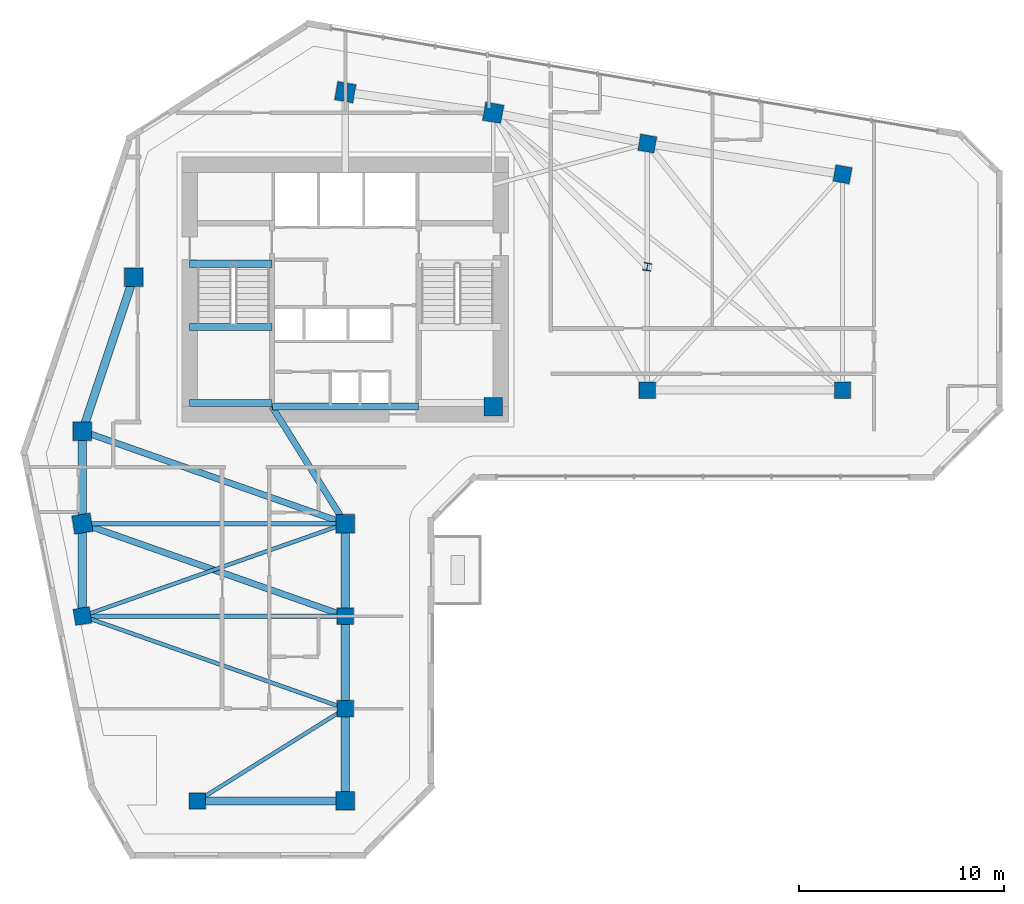
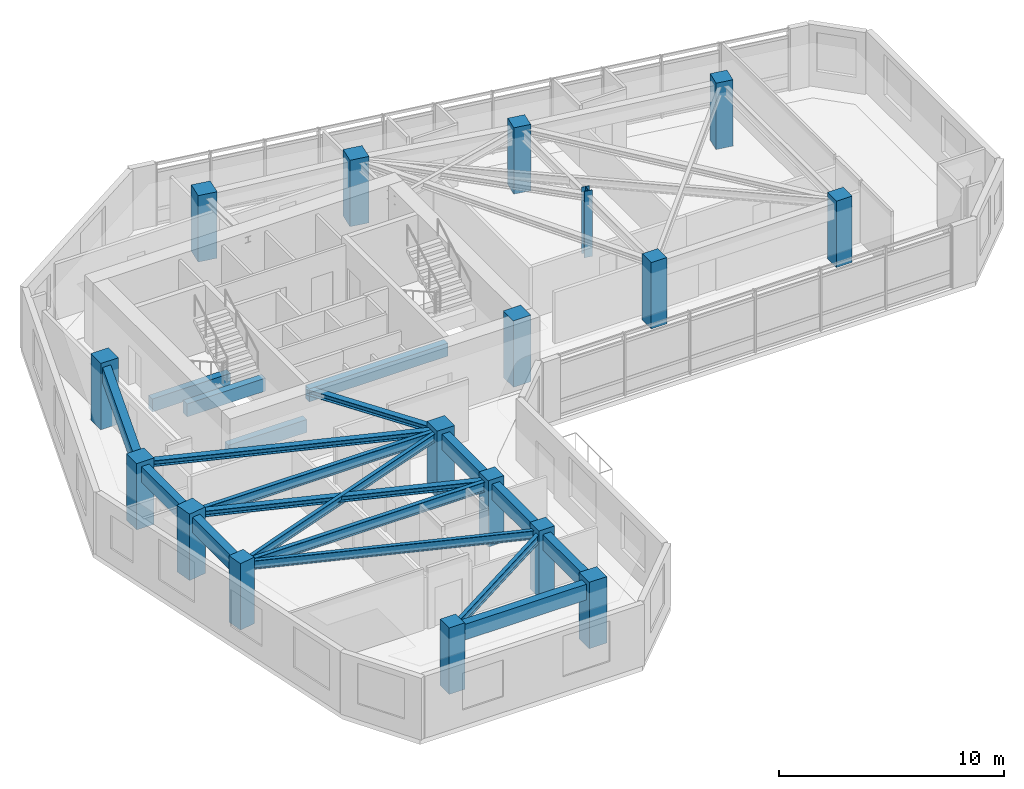
# One storey, part 1 of 10: 19 beams, 17 columns.
"""IFC4 building model written with IfcOpenShell, lengths in metres."""

from ifc_helpers import new_model, si_unit, direction, frame, origin, origin_2d, place, context, subcontext, project, spatial, rectangle, i_section, extrude, source, transform, mapped, material, material_profile, profile_set, type_object, element, save


model = new_model("IFC4")

# Units and contexts
model_context = context("Model", 3, precision=1e-05, world=origin(), true_north=direction((0.0, 1.0)))
body_context = subcontext(model_context, "Body", "Model", "MODEL_VIEW")
ifc_project = project(units=[si_unit("LENGTHUNIT", "METRE"), si_unit("AREAUNIT", "SQUARE_METRE"), si_unit("VOLUMEUNIT", "CUBIC_METRE"), si_unit("PLANEANGLEUNIT", "RADIAN"), si_unit("MASSUNIT", "GRAM", prefix="KILO")], contexts=[model_context])

# Site, building, storey
site_placement = place(None, origin())
site = spatial("IfcSite", under=ifc_project, at=site_placement, CompositionType="ELEMENT")
building_placement = place(site_placement, origin())
building = spatial("IfcBuilding", under=site, at=building_placement, Name="Calvemar Wedge Station Tower", CompositionType="ELEMENT")
storey_placement = place(building_placement, frame((0.0, 0.0, 150.199951171875)))
storey = spatial("IfcBuildingStorey", under=building, at=storey_placement, Name="L37", CompositionType="ELEMENT", Elevation=150.199951171875)

# Columns
ifc_material_1 = material(Name="Concrete C60", Category="concrete")
ifc_material_profile_1 = material_profile(ifc_material_1, rectangle(XDim=0.89990234375, YDim=0.89990234375, at=origin_2d()), Name="RC900x900")
ifc_profile_set_1 = profile_set([ifc_material_profile_1], Name="Concrete C60")
column_type_1 = type_object("IfcColumnType", Name="COL-C5-900", PredefinedType="COLUMN", material=ifc_profile_set_1)
shared_shape_1 = source(origin(), body_context, "Body", "SweptSolid", [
    extrude(rectangle(XDim=0.89990234375, YDim=0.89990234375, at=origin_2d()), origin(), (0.0, 0.0, 1.0), 3.60009765625),
])
for number, where, z_axis, x_axis, name in (
    (1, (11.0, 33.0, 0.0), (0.0, 0.0, 1.0), (1.0, 0.0, 0.0), "Storey L37 Column T-NW1"),
    (2, (13.5, 40.5, 0.0), (0.0, 0.0, 1.0), (1.0, 0.0, 0.0), "Storey L37 Column T-NW2"),
    (3, (23.800048828125, 49.5, 0.0), (0.0, 0.0, 1.0), (0.984195607969, -0.17708474032, 0.0), "Storey L37 Column T-N1"),
    (4, (31.0, 48.5, 0.0), (0.0, 0.0, 1.0), (0.984195607969, -0.17708474032, 0.0), "Storey L37 Column T-N2"),
    (5, (31.0, 34.199951171875, 0.0), (0.0, 0.0, 1.0), (1.0, 0.0, 0.0), "Storey L37 Column T-NL1"),
    (6, (11.0, 28.5, 0.0), (0.0, 0.0, 1.0), (0.158158067254, -0.987413806751, 0.0), "Storey L37 Column T-SW1"),
    (7, (23.800048828125, 28.5, 0.0), (0.0, 0.0, 1.0), (1.0, 0.0, 0.0), "Storey L37 Column T-SE1"),
    (8, (23.800048828125, 15.0, 0.0), (0.0, 0.0, 1.0), (1.0, 0.0, 0.0), "Storey L37 Column T-SE4"),
):
    element("IfcColumn", number, at=place(storey_placement, frame(where, z_axis=z_axis, x_axis=x_axis)), inside=storey, type_object=column_type_1, Name=name, PredefinedType="COLUMN", context=body_context, shape_type="MappedRepresentation", body=[
        mapped(shared_shape_1, transform((0.0, 0.0, 0.0), scale=1.0)),
    ])
ifc_material_2 = material(Name="Concrete C50", Category="concrete")
ifc_material_profile_2 = material_profile(ifc_material_2, rectangle(XDim=0.800048828125, YDim=0.800048828125, at=origin_2d()), Name="RC800x800")
ifc_profile_set_2 = profile_set([ifc_material_profile_2], Name="Concrete C50")
column_type_2 = type_object("IfcColumnType", Name="COL-C6-800", PredefinedType="COLUMN", material=ifc_profile_set_2)
shared_shape_2 = source(origin(), body_context, "Body", "SweptSolid", [
    extrude(rectangle(XDim=0.800048828125, YDim=0.800048828125, at=origin_2d()), origin(), (0.0, 0.0, 1.0), 3.60009765625),
])
for number, where, z_axis, x_axis, name in (
    (9, (38.5, 47.0, 0.0), (0.0, 0.0, 1.0), (0.984195607969, -0.17708474032, 0.0), "Storey L37 Column T-NU3"),
    (10, (48.0, 45.5, 0.0), (0.0, 0.0, 1.0), (0.984195607969, -0.17708474032, 0.0), "Storey L37 Column T-NU4"),
    (11, (38.5, 35.0, 0.0), (0.0, 0.0, 1.0), (1.0, 0.0, 0.0), "Storey L37 Column T-NL2"),
    (12, (48.0, 35.0, 0.0), (0.0, 0.0, 1.0), (1.0, 0.0, 0.0), "Storey L37 Column T-NL3"),
    (13, (11.0, 24.0, 0.0), (0.0, 0.0, 1.0), (0.158158067254, -0.987413806751, 0.0), "Storey L37 Column T-SW2"),
    (14, (23.800048828125, 24.0, 0.0), (0.0, 0.0, 1.0), (1.0, 0.0, 0.0), "Storey L37 Column T-SE2"),
    (15, (23.800048828125, 19.5, 0.0), (0.0, 0.0, 1.0), (1.0, 0.0, 0.0), "Storey L37 Column T-SE3"),
    (16, (16.60009765625, 15.0, 0.0), (0.0, 0.0, 1.0), (1.0, 0.0, 0.0), "Storey L37 Column T-SM1"),
):
    element("IfcColumn", number, at=place(storey_placement, frame(where, z_axis=z_axis, x_axis=x_axis)), inside=storey, type_object=column_type_2, Name=name, PredefinedType="COLUMN", context=body_context, shape_type="MappedRepresentation", body=[
        mapped(shared_shape_2, transform((0.0, 0.0, 0.0), scale=1.0)),
    ])
ifc_material_3 = material(Name="Structural steel ASTM A572 Grade 50", Category="steel")
ifc_material_profile_3 = material_profile(ifc_material_3, i_section(OverallWidth=0.3740234375, OverallDepth=0.3720703125, WebThickness=0.016357421875, FlangeThickness=0.026123046875, FilletRadius=0.014892578125, at=origin_2d()), Name="W360x196")
ifc_profile_set_3 = profile_set([ifc_material_profile_3], Name="Structural steel ASTM A572 Grade 50")
column_type_3 = type_object("IfcColumnType", Name="COL-STL-W360", PredefinedType="COLUMN", material=ifc_profile_set_3)
shared_shape_3 = source(origin(), body_context, "Body", "SweptSolid", [
    extrude(i_section(OverallWidth=0.3740234375, OverallDepth=0.3720703125, WebThickness=0.016357421875, FlangeThickness=0.026123046875, FilletRadius=0.014892578125, at=origin_2d()), origin(), (0.0, 0.0, 1.0), 3.60009765625),
])
column_placement = place(storey_placement, frame((38.5, 41.0, 0.0), z_axis=(0.0, 0.0, 1.0), x_axis=(0.984195607969, -0.17708474032, 0.0)))
element("IfcColumn", 17, at=column_placement, inside=storey, type_object=column_type_3, Name="Storey L37 Column T-NTIP-B", PredefinedType="COLUMN", context=body_context, shape_type="MappedRepresentation", body=[
    mapped(shared_shape_3, transform((0.0, 0.0, 0.0), scale=1.0)),
])

# Beams
ifc_material_profile_4 = material_profile(ifc_material_1, rectangle(XDim=0.39990234375, YDim=0.85009765625, at=origin_2d()), Name="RC400x850")
ifc_profile_set_4 = profile_set([ifc_material_profile_4], Name="Concrete C60")
beam_type_1 = type_object("IfcBeamType", Name="BM-SP1-850", PredefinedType="SPANDREL", material=ifc_profile_set_4)
shared_shape_4 = source(origin(), body_context, "Body", "SweptSolid", [
    extrude(rectangle(XDim=0.39990234375, YDim=0.85009765625, at=origin_2d()), origin(), (0.0, 0.0, 1.0), 7.90576171875),
])
beam_1_placement = place(storey_placement, frame((11.0, 33.0, 2.925048828125), z_axis=(0.316227766017, 0.948683298051, 0.0), x_axis=(-0.948683298051, 0.316227766017, 0.0)))
element("IfcBeam", 18, at=beam_1_placement, inside=storey, type_object=beam_type_1, Name="Storey L37 Spandrel T-NW1-T-NW2", PredefinedType="SPANDREL", context=body_context, shape_type="MappedRepresentation", body=[
    mapped(shared_shape_4, transform((0.0, 0.0, 0.0), scale=1.0)),
])
shared_shape_5 = source(origin(), body_context, "Body", "SweptSolid", [
    extrude(rectangle(XDim=0.39990234375, YDim=0.85009765625, at=origin_2d()), origin(), (0.0, 0.0, 1.0), 4.5),
])
for number, where, z_axis, x_axis, name in (
    (19, (11.0, 33.0, 2.925048828125), (0.0, -1.0, 0.0), (1.0, 0.0, 0.0), "Storey L37 Spandrel T-NW1-T-SW1"),
    (20, (11.0, 28.5, 2.925048828125), (0.0, -1.0, 0.0), (1.0, 0.0, 0.0), "Storey L37 Spandrel T-SW1-T-SW2"),
    (21, (23.800048828125, 28.5, 2.925048828125), (0.0, -1.0, 0.0), (1.0, 0.0, 0.0), "Storey L37 Spandrel T-SE1-T-SE2"),
    (22, (23.800048828125, 24.0, 2.925048828125), (0.0, -1.0, 0.0), (1.0, 0.0, 0.0), "Storey L37 Spandrel T-SE2-T-SE3"),
    (23, (23.800048828125, 19.5, 2.925048828125), (0.0, -1.0, 0.0), (1.0, 0.0, 0.0), "Storey L37 Spandrel T-SE3-T-SE4"),
):
    element("IfcBeam", number, at=place(storey_placement, frame(where, z_axis=z_axis, x_axis=x_axis)), inside=storey, type_object=beam_type_1, Name=name, PredefinedType="SPANDREL", context=body_context, shape_type="MappedRepresentation", body=[
        mapped(shared_shape_5, transform((0.0, 0.0, 0.0), scale=1.0)),
    ])
shared_shape_6 = source(origin(), body_context, "Body", "SweptSolid", [
    extrude(rectangle(XDim=0.39990234375, YDim=0.85009765625, at=origin_2d()), origin(), (0.0, 0.0, 1.0), 7.199951171875),
])
beam_2_placement = place(storey_placement, frame((16.60009765625, 15.0, 2.925048828125), z_axis=(1.0, 0.0, 0.0), x_axis=(0.0, 1.0, 0.0)))
element("IfcBeam", 24, at=beam_2_placement, inside=storey, type_object=beam_type_1, Name="Storey L37 Spandrel T-SM1-T-SE4", PredefinedType="SPANDREL", context=body_context, shape_type="MappedRepresentation", body=[
    mapped(shared_shape_6, transform((0.0, 0.0, 0.0), scale=1.0)),
])
ifc_material_4 = material(Name="Concrete C70", Category="concrete")
ifc_material_profile_5 = material_profile(ifc_material_4, rectangle(XDim=0.35009765625, YDim=0.699951171875, at=origin_2d()), Name="RC350x700")
ifc_profile_set_5 = profile_set([ifc_material_profile_5], Name="Concrete C70")
beam_type_2 = type_object("IfcBeamType", Name="BM-LN1-700", PredefinedType="LINTEL", material=ifc_profile_set_5)
shared_shape_7 = source(origin(), body_context, "Body", "SweptSolid", [
    extrude(rectangle(XDim=0.35009765625, YDim=0.699951171875, at=origin_2d()), origin(), (0.0, 0.0, 1.0), 7.10009765625),
])
beam_3_placement = place(storey_placement, frame((20.25, 34.199951171875, 3.0), z_axis=(1.0, 0.0, 0.0), x_axis=(0.0, 1.0, 0.0)))
element("IfcBeam", 25, at=beam_3_placement, inside=storey, type_object=beam_type_2, Name="Storey L37 Core Coupling Lintel South", PredefinedType="LINTEL", context=body_context, shape_type="MappedRepresentation", body=[
    mapped(shared_shape_7, transform((0.0, 0.0, 0.0), scale=1.0)),
])
ifc_material_profile_6 = material_profile(ifc_material_3, i_section(OverallWidth=0.30908203125, OverallDepth=0.322998046875, WebThickness=0.013916015625, FlangeThickness=0.02294921875, FilletRadius=0.014892578125, at=origin_2d()), Name="W310x143")
ifc_profile_set_6 = profile_set([ifc_material_profile_6], Name="Structural steel ASTM A572 Grade 50")
beam_type_3 = type_object("IfcBeamType", Name="BM-J5-W310H", PredefinedType="JOIST", material=ifc_profile_set_6)
shared_shape_8 = source(origin(), body_context, "Body", "SweptSolid", [
    extrude(i_section(OverallWidth=0.30908203125, OverallDepth=0.322998046875, WebThickness=0.013916015625, FlangeThickness=0.02294921875, FilletRadius=0.014892578125, at=origin_2d()), origin(), (0.0, 0.0, 1.0), 13.568115234375),
])
for number, where, z_axis, x_axis, name in (
    (26, (11.0, 33.0, 3.1884765625), (0.943398221169, -0.331662171939, 0.0), (0.331662171939, 0.943398221169, 0.0), "Storey L37 Floor Beam T-NW1-T-SE1"),
    (27, (11.0, 28.5, 3.1884765625), (0.943398221169, -0.331662171939, 0.0), (0.331662171939, 0.943398221169, 0.0), "Storey L37 Floor Beam T-SW1-T-SE2"),
):
    element("IfcBeam", number, at=place(storey_placement, frame(where, z_axis=z_axis, x_axis=x_axis)), inside=storey, type_object=beam_type_3, Name=name, PredefinedType="JOIST", context=body_context, shape_type="MappedRepresentation", body=[
        mapped(shared_shape_8, transform((0.0, 0.0, 0.0), scale=1.0)),
    ])
ifc_material_profile_7 = material_profile(ifc_material_3, i_section(OverallWidth=0.19189453125, OverallDepth=0.462890625, WebThickness=0.010498046875, FlangeThickness=0.017578125, FilletRadius=0.012939453125, at=origin_2d()), Name="W460x89")
ifc_profile_set_7 = profile_set([ifc_material_profile_7], Name="Structural steel ASTM A572 Grade 50")
beam_type_4 = type_object("IfcBeamType", Name="BM-J1-W460", PredefinedType="JOIST", material=ifc_profile_set_7)
shared_shape_9 = source(origin(), body_context, "Body", "SweptSolid", [
    extrude(i_section(OverallWidth=0.19189453125, OverallDepth=0.462890625, WebThickness=0.010498046875, FlangeThickness=0.017578125, FilletRadius=0.012939453125, at=origin_2d()), origin(), (0.0, 0.0, 1.0), 13.568115234375),
])
for number, where, z_axis, x_axis, name in (
    (28, (23.800048828125, 28.5, 3.11865234375), (-0.943398221169, -0.331662171939, 0.0), (0.331662171939, -0.943398221169, 0.0), "Storey L37 Floor Beam T-SE1-T-SW2"),
    (29, (11.0, 24.0, 3.11865234375), (0.943398221169, -0.331662171939, 0.0), (0.331662171939, 0.943398221169, 0.0), "Storey L37 Floor Beam T-SW2-T-SE3"),
):
    element("IfcBeam", number, at=place(storey_placement, frame(where, z_axis=z_axis, x_axis=x_axis)), inside=storey, type_object=beam_type_4, Name=name, PredefinedType="JOIST", context=body_context, shape_type="MappedRepresentation", body=[
        mapped(shared_shape_9, transform((0.0, 0.0, 0.0), scale=1.0)),
    ])
shared_shape_10 = source(origin(), body_context, "Body", "SweptSolid", [
    extrude(i_section(OverallWidth=0.19189453125, OverallDepth=0.462890625, WebThickness=0.010498046875, FlangeThickness=0.017578125, FilletRadius=0.012939453125, at=origin_2d()), origin(), (0.0, 0.0, 1.0), 8.490478515625),
])
beam_4_placement = place(storey_placement, frame((23.800048828125, 19.5, 3.11865234375), z_axis=(-0.847996688584, -0.530001524668, 0.0), x_axis=(0.530001524668, -0.847996688584, 0.0)))
element("IfcBeam", 30, at=beam_4_placement, inside=storey, type_object=beam_type_4, Name="Storey L37 Floor Beam T-SE3-T-SM1", PredefinedType="JOIST", context=body_context, shape_type="MappedRepresentation", body=[
    mapped(shared_shape_10, transform((0.0, 0.0, 0.0), scale=1.0)),
])
shared_shape_11 = source(origin(), body_context, "Body", "SweptSolid", [
    extrude(i_section(OverallWidth=0.30908203125, OverallDepth=0.322998046875, WebThickness=0.013916015625, FlangeThickness=0.02294921875, FilletRadius=0.014892578125, at=origin_2d()), origin(), (0.0, 0.0, 1.0), 6.7255859375),
])
beam_5_placement = place(storey_placement, frame((20.22998046875, 34.199951171875, 3.1884765625), z_axis=(0.530811158438, -0.847490126242, 0.0), x_axis=(0.847490126242, 0.530811158438, 0.0)))
element("IfcBeam", 31, at=beam_5_placement, inside=storey, type_object=beam_type_3, Name="Storey L37 Core-to-Column Joist CJ-S2", PredefinedType="JOIST", context=body_context, shape_type="MappedRepresentation", body=[
    mapped(shared_shape_11, transform((0.0, 0.0, 0.0), scale=1.0)),
])
shared_shape_12 = source(origin(), body_context, "Body", "SweptSolid", [
    extrude(rectangle(XDim=0.35009765625, YDim=0.699951171875, at=origin_2d()), origin(), (0.0, 0.0, 1.0), 4.0048828125),
])
for number, where, z_axis, x_axis, name in (
    (32, (16.22509765625, 41.14990234375, -0.349853515625), (1.0, 0.0, 0.0), (0.0, 1.0, 0.0), "Storey L37 Stair ST-C1 Landing Trimmer Beam"),
    (33, (16.22509765625, 34.3798828125, 1.25), (1.0, 0.0, 0.0), (0.0, 1.0, 0.0), "Storey L37 Stair ST-C1 Half-Landing Beam 1A"),
    (34, (16.22509765625, 38.070068359375, 1.25), (1.0, 0.0, 0.0), (0.0, 1.0, 0.0), "Storey L37 Stair ST-C1 Half-Landing Beam 1B"),
):
    element("IfcBeam", number, at=place(storey_placement, frame(where, z_axis=z_axis, x_axis=x_axis)), inside=storey, type_object=beam_type_2, Name=name, PredefinedType="LINTEL", context=body_context, shape_type="MappedRepresentation", body=[
        mapped(shared_shape_12, transform((0.0, 0.0, 0.0), scale=1.0)),
    ])
ifc_material_profile_8 = material_profile(ifc_material_3, i_section(OverallWidth=0.2109375, OverallDepth=0.5390625, WebThickness=0.01171875, FlangeThickness=0.018798828125, FilletRadius=0.012939453125, at=origin_2d()), Name="W530x109")
ifc_profile_set_8 = profile_set([ifc_material_profile_8], Name="Structural steel ASTM A572 Grade 50")
beam_type_5 = type_object("IfcBeamType", Name="BM-SB4-W530", PredefinedType="BEAM", material=ifc_profile_set_8)
shared_shape_13 = source(origin(), body_context, "Body", "SweptSolid", [
    extrude(i_section(OverallWidth=0.2109375, OverallDepth=0.5390625, WebThickness=0.01171875, FlangeThickness=0.018798828125, FilletRadius=0.012939453125, at=origin_2d()), origin(), (0.0, 0.0, 1.0), 12.800048828125),
])
for number, where, z_axis, x_axis, name in (
    (35, (11.0, 28.5, 3.08056640625), (1.0, 0.0, 0.0), (0.0, 1.0, 0.0), "Storey L37 Floor Beam T-SW1-T-SE1"),
    (36, (11.0, 24.0, 3.08056640625), (1.0, 0.0, 0.0), (0.0, 1.0, 0.0), "Storey L37 Floor Beam T-SW2-T-SE2"),
):
    element("IfcBeam", number, at=place(storey_placement, frame(where, z_axis=z_axis, x_axis=x_axis)), inside=storey, type_object=beam_type_5, Name=name, PredefinedType="BEAM", context=body_context, shape_type="MappedRepresentation", body=[
        mapped(shared_shape_13, transform((0.0, 0.0, 0.0), scale=1.0)),
    ])

save(model, "model.ifc")
